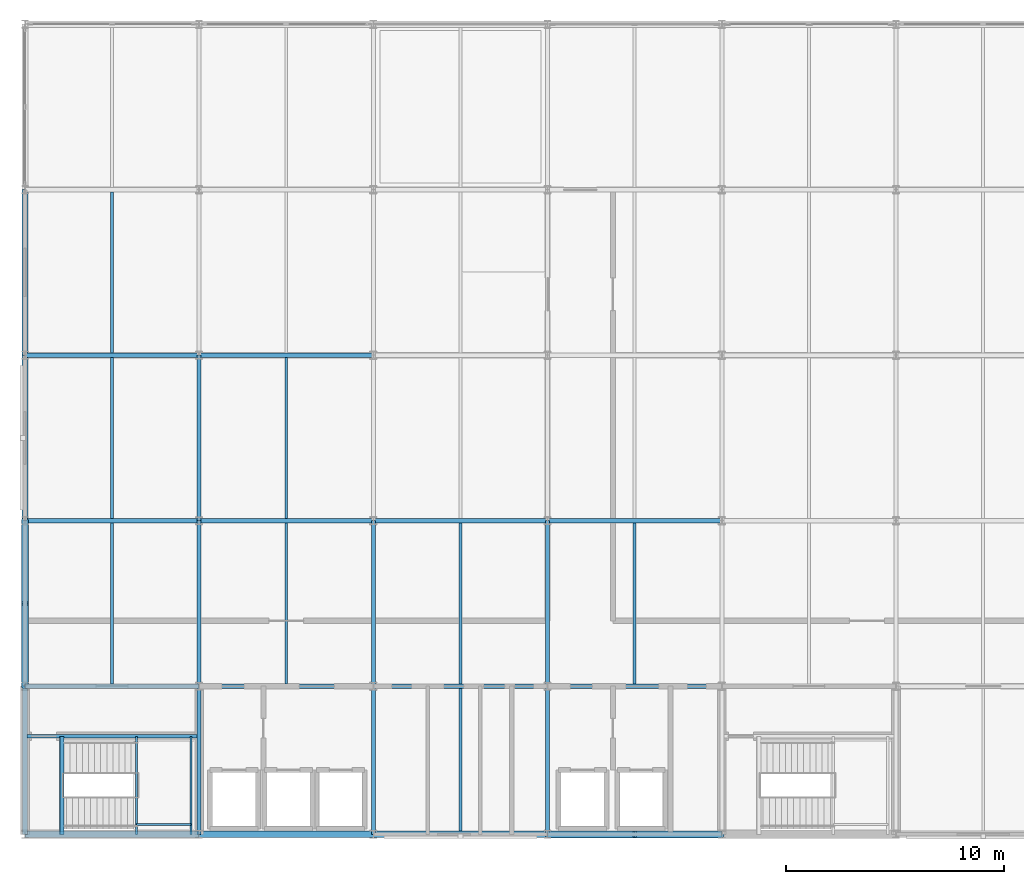
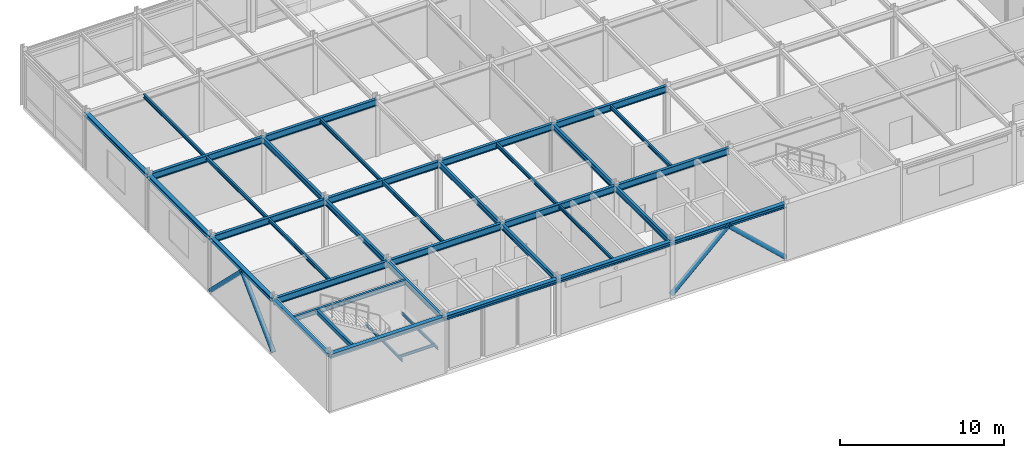
# One storey, part 4 of 16: 38 beams, 4 members.
"""IFC4 building model written with IfcOpenShell, lengths in metres."""

from ifc_helpers import new_model, si_unit, direction, frame, origin, origin_2d, place, context, subcontext, project, spatial, hollow_rectangle, hollow_circle, i_section, extrude, material, material_profile, profile_set, type_object, element, save


model = new_model("IFC4")

# Units and contexts
model_context = context("Model", 3, precision=1e-05, world=origin(), true_north=direction((0.0, 1.0)))
body_context = subcontext(model_context, "Body", "Model", "MODEL_VIEW")
ifc_project = project(units=[si_unit("LENGTHUNIT", "METRE"), si_unit("AREAUNIT", "SQUARE_METRE"), si_unit("VOLUMEUNIT", "CUBIC_METRE"), si_unit("PLANEANGLEUNIT", "RADIAN"), si_unit("MASSUNIT", "GRAM", prefix="KILO")], contexts=[model_context])

# Site, building, storey
site_placement = place(None, origin())
site = spatial("IfcSite", under=ifc_project, at=site_placement, CompositionType="ELEMENT")
building_placement = place(site_placement, origin())
building = spatial("IfcBuilding", under=site, at=building_placement, Name="Shalkamar Park Central Library", CompositionType="ELEMENT")
storey_placement = place(building_placement, frame((0.0, 0.0, 51.60009765625)))
storey = spatial("IfcBuildingStorey", under=building, at=storey_placement, Name="L13", CompositionType="ELEMENT", Elevation=51.60009765625)

# Beams
ifc_material = material(Name="Steel S355", Category="steel")
ifc_material_profile_1 = material_profile(ifc_material, i_section(OverallWidth=0.10009765625, OverallDepth=0.199951171875, WebThickness=0.005615234375, FlangeThickness=0.008544921875, FilletRadius=0.011962890625, at=origin_2d()), Name="IPE 200")
ifc_profile_set_1 = profile_set([ifc_material_profile_1], Name="Steel S355")
beam_type_1 = type_object("IfcBeamType", Name="Composite Floor Joist IPE200", PredefinedType="JOIST", material=ifc_profile_set_1)
for number, where, z_axis, x_axis, name in (
    (1, (170.1201171875, 248.39990234375, 1.869873046875), (0.0, 1.0, 0.0), (-1.0, 0.0, 0.0), "Stair Half-Landing Beam ST-T1-L13-1"),
    (2, (172.6201171875, 248.39990234375, 1.869873046875), (0.0, 1.0, 0.0), (-1.0, 0.0, 0.0), "Stair Half-Landing Beam ST-T1-L13-2"),
):
    element("IfcBeam", number, at=place(storey_placement, frame(where, z_axis=z_axis, x_axis=x_axis)), inside=storey, type_object=beam_type_1, Name=name, PredefinedType="JOIST", context=body_context, shape_type="SweptSolid", body=[
        extrude(i_section(OverallWidth=0.10009765625, OverallDepth=0.199951171875, WebThickness=0.005615234375, FlangeThickness=0.008544921875, FilletRadius=0.011962890625, at=origin_2d()), origin(), (0.0, 0.0, 1.0), 4.5),
    ])
beam_1_placement = place(storey_placement, frame((170.1201171875, 248.85009765625, 1.869873046875), z_axis=(1.0, 0.0, 0.0), x_axis=(0.0, 1.0, 0.0)))
element("IfcBeam", 3, at=beam_1_placement, inside=storey, type_object=beam_type_1, Name="Stair Half-Landing Cross Tie ST-T1-L13-3", PredefinedType="JOIST", context=body_context, shape_type="SweptSolid", body=[
    extrude(i_section(OverallWidth=0.10009765625, OverallDepth=0.199951171875, WebThickness=0.005615234375, FlangeThickness=0.008544921875, FilletRadius=0.011962890625, at=origin_2d()), origin(), (0.0, 0.0, 1.0), 2.5),
])
ifc_material_profile_2 = material_profile(ifc_material, i_section(OverallWidth=0.1201171875, OverallDepth=0.239990234375, WebThickness=0.006103515625, FlangeThickness=0.009765625, FilletRadius=0.014892578125, at=origin_2d()), Name="IPE 240")
ifc_profile_set_2 = profile_set([ifc_material_profile_2], Name="Steel S355")
beam_type_2 = type_object("IfcBeamType", Name="Composite Floor Joist IPE240", PredefinedType="JOIST", material=ifc_profile_set_2)
beam_2_placement = place(storey_placement, frame((185.0, 248.548095703125, 4.059814453125), z_axis=(0.0, 1.0, 0.0), x_axis=(-1.0, 0.0, 0.0)))
element("IfcBeam", 4, at=beam_2_placement, inside=storey, type_object=beam_type_2, Name="Composite Joist 09/B-1 (L13)", PredefinedType="JOIST", context=body_context, shape_type="SweptSolid", body=[
    extrude(i_section(OverallWidth=0.1201171875, OverallDepth=0.239990234375, WebThickness=0.006103515625, FlangeThickness=0.009765625, FilletRadius=0.014892578125, at=origin_2d()), origin(), (0.0, 0.0, 1.0), 6.553955078125),
])
ifc_material_profile_3 = material_profile(ifc_material, i_section(OverallWidth=0.135009765625, OverallDepth=0.27001953125, WebThickness=0.006591796875, FlangeThickness=0.01025390625, FilletRadius=0.014892578125, at=origin_2d()), Name="IPE 270")
ifc_profile_set_3 = profile_set([ifc_material_profile_3], Name="Steel S355")
beam_type_3 = type_object("IfcBeamType", Name="Composite Floor Joist IPE270", PredefinedType="JOIST", material=ifc_profile_set_3)
beam_3_placement = place(storey_placement, frame((169.0, 255.298095703125, 4.044921875), z_axis=(0.0, 1.0, 0.0), x_axis=(-1.0, 0.0, 0.0)))
element("IfcBeam", 5, at=beam_3_placement, inside=storey, type_object=beam_type_3, Name="Composite Joist 07/C-1 (L13)", PredefinedType="JOIST", context=body_context, shape_type="SweptSolid", body=[
    extrude(i_section(OverallWidth=0.135009765625, OverallDepth=0.27001953125, WebThickness=0.006591796875, FlangeThickness=0.01025390625, FilletRadius=0.014892578125, at=origin_2d()), origin(), (0.0, 0.0, 1.0), 7.40380859375),
])
for number, where, z_axis, x_axis, name in (
    (6, (169.0, 262.89794921875, 4.044921875), (0.0, 1.0, 0.0), (-1.0, 0.0, 0.0), "Composite Joist 07/D-1 (L13)"),
    (7, (169.0, 270.498046875, 4.044921875), (0.0, 1.0, 0.0), (-1.0, 0.0, 0.0), "Composite Joist 07/E-1 (L13)"),
):
    element("IfcBeam", number, at=place(storey_placement, frame(where, z_axis=z_axis, x_axis=x_axis)), inside=storey, type_object=beam_type_3, Name=name, PredefinedType="JOIST", context=body_context, shape_type="SweptSolid", body=[
        extrude(i_section(OverallWidth=0.135009765625, OverallDepth=0.27001953125, WebThickness=0.006591796875, FlangeThickness=0.01025390625, FilletRadius=0.014892578125, at=origin_2d()), origin(), (0.0, 0.0, 1.0), 7.404052734375),
    ])
beam_4_placement = place(storey_placement, frame((177.0, 255.298095703125, 4.044921875), z_axis=(0.0, 1.0, 0.0), x_axis=(-1.0, 0.0, 0.0)))
element("IfcBeam", 8, at=beam_4_placement, inside=storey, type_object=beam_type_3, Name="Composite Joist 08/C-1 (L13)", PredefinedType="JOIST", context=body_context, shape_type="SweptSolid", body=[
    extrude(i_section(OverallWidth=0.135009765625, OverallDepth=0.27001953125, WebThickness=0.006591796875, FlangeThickness=0.01025390625, FilletRadius=0.014892578125, at=origin_2d()), origin(), (0.0, 0.0, 1.0), 7.40380859375),
])
beam_5_placement = place(storey_placement, frame((177.0, 262.89794921875, 4.044921875), z_axis=(0.0, 1.0, 0.0), x_axis=(-1.0, 0.0, 0.0)))
element("IfcBeam", 9, at=beam_5_placement, inside=storey, type_object=beam_type_3, Name="Composite Joist 08/D-1 (L13)", PredefinedType="JOIST", context=body_context, shape_type="SweptSolid", body=[
    extrude(i_section(OverallWidth=0.135009765625, OverallDepth=0.27001953125, WebThickness=0.006591796875, FlangeThickness=0.01025390625, FilletRadius=0.014892578125, at=origin_2d()), origin(), (0.0, 0.0, 1.0), 7.404052734375),
])
for number, where, z_axis, x_axis, name in (
    (10, (185.0, 255.298095703125, 4.044921875), (0.0, 1.0, 0.0), (-1.0, 0.0, 0.0), "Composite Joist 09/C-1 (L13)"),
    (11, (193.0, 255.298095703125, 4.044921875), (0.0, 1.0, 0.0), (-1.0, 0.0, 0.0), "Composite Joist 10/C-1 (L13)"),
):
    element("IfcBeam", number, at=place(storey_placement, frame(where, z_axis=z_axis, x_axis=x_axis)), inside=storey, type_object=beam_type_3, Name=name, PredefinedType="JOIST", context=body_context, shape_type="SweptSolid", body=[
        extrude(i_section(OverallWidth=0.135009765625, OverallDepth=0.27001953125, WebThickness=0.006591796875, FlangeThickness=0.01025390625, FilletRadius=0.014892578125, at=origin_2d()), origin(), (0.0, 0.0, 1.0), 7.40380859375),
    ])

# Members
ifc_material_profile_4 = material_profile(ifc_material, hollow_circle(Radius=0.161865234375, WallThickness=0.012451171875, at=origin_2d()), Name="CHS 323.9x12.5")
ifc_profile_set_4 = profile_set([ifc_material_profile_4], Name="Steel S355")
member_type = type_object("IfcMemberType", Name="Diagonal Brace CHS323", PredefinedType="BRACE", material=ifc_profile_set_4)
for number, where, z_axis, x_axis, name in (
    (12, (165.0, 255.199951171875, 0.14990234375), (0.0, 0.713655648874, 0.70049669152), (-1.0, 0.0, 0.0), "Chevron Brace TW-W Leg A (L13)"),
    (13, (165.0, 262.800048828125, 0.14990234375), (0.0, -0.713655648874, 0.70049669152), (1.0, 0.0, 0.0), "Chevron Brace TW-W Leg B (L13)"),
):
    element("IfcMember", number, at=place(storey_placement, frame(where, z_axis=z_axis, x_axis=x_axis)), inside=storey, type_object=member_type, Name=name, PredefinedType="BRACE", context=body_context, shape_type="SweptSolid", body=[
        extrude(hollow_circle(Radius=0.161865234375, WallThickness=0.012451171875, at=origin_2d()), origin(), (0.0, 0.0, 1.0), 5.32470703125),
    ])
for number, where, z_axis, x_axis, name in (
    (14, (189.0, 248.39990234375, 0.14990234375), (0.731360986045, 0.0, 0.681990548388), (0.0, 1.0, 0.0), "Chevron Brace TW-S Leg A (L13)"),
    (15, (197.0, 248.39990234375, 0.14990234375), (-0.731360986045, 0.0, 0.681990548388), (0.0, -1.0, 0.0), "Chevron Brace TW-S Leg B (L13)"),
):
    element("IfcMember", number, at=place(storey_placement, frame(where, z_axis=z_axis, x_axis=x_axis)), inside=storey, type_object=member_type, Name=name, PredefinedType="BRACE", context=body_context, shape_type="SweptSolid", body=[
        extrude(hollow_circle(Radius=0.161865234375, WallThickness=0.012451171875, at=origin_2d()), origin(), (0.0, 0.0, 1.0), 5.46923828125),
    ])

# Beams
ifc_material_profile_5 = material_profile(ifc_material, i_section(OverallWidth=0.239990234375, OverallDepth=0.22998046875, WebThickness=0.007568359375, FlangeThickness=0.011962890625, FilletRadius=0.02099609375, at=origin_2d()), Name="HEA 240")
ifc_profile_set_5 = profile_set([ifc_material_profile_5], Name="Steel S355")
beam_type_4 = type_object("IfcBeamType", Name="Perimeter Spandrel Beam HEA240", PredefinedType="SPANDREL", material=ifc_profile_set_5)
beam_6_placement = place(storey_placement, frame((165.0, 248.39990234375, 4.06494140625), z_axis=(0.0, 1.0, 0.0), x_axis=(-1.0, 0.0, 0.0)))
element("IfcBeam", 16, at=beam_6_placement, inside=storey, type_object=beam_type_4, Name="Beam 07:B-C (L13)", PredefinedType="SPANDREL", context=body_context, shape_type="SweptSolid", body=[
    extrude(i_section(OverallWidth=0.239990234375, OverallDepth=0.22998046875, WebThickness=0.007568359375, FlangeThickness=0.011962890625, FilletRadius=0.02099609375, at=origin_2d()), origin(), (0.0, 0.0, 1.0), 6.800048828125),
])
ifc_material_profile_6 = material_profile(ifc_material, i_section(OverallWidth=0.280029296875, OverallDepth=0.27001953125, WebThickness=0.008056640625, FlangeThickness=0.012939453125, FilletRadius=0.02392578125, at=origin_2d()), Name="HEA 280")
ifc_profile_set_6 = profile_set([ifc_material_profile_6], Name="Steel S355")
beam_type_5 = type_object("IfcBeamType", Name="Perimeter Spandrel Beam HEA280", PredefinedType="SPANDREL", material=ifc_profile_set_6)
beam_7_placement = place(storey_placement, frame((165.0, 255.199951171875, 4.044921875), z_axis=(0.0, 1.0, 0.0), x_axis=(-1.0, 0.0, 0.0)))
element("IfcBeam", 17, at=beam_7_placement, inside=storey, type_object=beam_type_5, Name="Beam 07:C-D (L13)", PredefinedType="SPANDREL", context=body_context, shape_type="SweptSolid", body=[
    extrude(i_section(OverallWidth=0.280029296875, OverallDepth=0.27001953125, WebThickness=0.008056640625, FlangeThickness=0.012939453125, FilletRadius=0.02392578125, at=origin_2d()), origin(), (0.0, 0.0, 1.0), 7.60009765625),
])
beam_8_placement = place(storey_placement, frame((165.0, 262.800048828125, 4.044921875), z_axis=(0.0, 1.0, 0.0), x_axis=(-1.0, 0.0, 0.0)))
element("IfcBeam", 18, at=beam_8_placement, inside=storey, type_object=beam_type_5, Name="Beam 07:D-E (L13)", PredefinedType="SPANDREL", context=body_context, shape_type="SweptSolid", body=[
    extrude(i_section(OverallWidth=0.280029296875, OverallDepth=0.27001953125, WebThickness=0.008056640625, FlangeThickness=0.012939453125, FilletRadius=0.02392578125, at=origin_2d()), origin(), (0.0, 0.0, 1.0), 7.599853515625),
])
beam_9_placement = place(storey_placement, frame((165.0, 270.39990234375, 4.044921875), z_axis=(0.0, 1.0, 0.0), x_axis=(-1.0, 0.0, 0.0)))
element("IfcBeam", 19, at=beam_9_placement, inside=storey, type_object=beam_type_5, Name="Beam 07:E-F (L13)", PredefinedType="SPANDREL", context=body_context, shape_type="SweptSolid", body=[
    extrude(i_section(OverallWidth=0.280029296875, OverallDepth=0.27001953125, WebThickness=0.008056640625, FlangeThickness=0.012939453125, FilletRadius=0.02392578125, at=origin_2d()), origin(), (0.0, 0.0, 1.0), 7.60009765625),
])
ifc_material_profile_7 = material_profile(ifc_material, i_section(OverallWidth=0.300048828125, OverallDepth=0.31005859375, WebThickness=0.009033203125, FlangeThickness=0.015380859375, FilletRadius=0.027099609375, at=origin_2d()), Name="HEA 320")
ifc_profile_set_7 = profile_set([ifc_material_profile_7], Name="Steel S355")
beam_type_6 = type_object("IfcBeamType", Name="Perimeter Spandrel Beam HEA320", PredefinedType="SPANDREL", material=ifc_profile_set_7)
for number, where, z_axis, x_axis, name in (
    (20, (165.0, 248.39990234375, 4.02490234375), (1.0, 0.0, 0.0), (0.0, 1.0, 0.0), "Beam B:07-08 (L13)"),
    (21, (173.0, 248.39990234375, 4.02490234375), (1.0, 0.0, 0.0), (0.0, 1.0, 0.0), "Beam B:08-09 (L13)"),
    (22, (181.0, 248.39990234375, 4.02490234375), (1.0, 0.0, 0.0), (0.0, 1.0, 0.0), "Beam B:09-10 (L13)"),
    (23, (189.0, 248.39990234375, 4.02490234375), (1.0, 0.0, 0.0), (0.0, 1.0, 0.0), "Beam B:10-11 (L13)"),
):
    element("IfcBeam", number, at=place(storey_placement, frame(where, z_axis=z_axis, x_axis=x_axis)), inside=storey, type_object=beam_type_6, Name=name, PredefinedType="SPANDREL", context=body_context, shape_type="SweptSolid", body=[
        extrude(i_section(OverallWidth=0.300048828125, OverallDepth=0.31005859375, WebThickness=0.009033203125, FlangeThickness=0.015380859375, FilletRadius=0.027099609375, at=origin_2d()), origin(), (0.0, 0.0, 1.0), 8.0),
    ])
ifc_material_profile_8 = material_profile(ifc_material, i_section(OverallWidth=0.169921875, OverallDepth=0.360107421875, WebThickness=0.008056640625, FlangeThickness=0.0126953125, FilletRadius=0.01806640625, at=origin_2d()), Name="IPE 360")
ifc_profile_set_8 = profile_set([ifc_material_profile_8], Name="Steel S355")
beam_type_7 = type_object("IfcBeamType", Name="Primary Girder IPE360", PredefinedType="BEAM", material=ifc_profile_set_8)
beam_10_placement = place(storey_placement, frame((165.087890625, 252.89990234375, 4.0), z_axis=(1.0, 0.0, 0.0), x_axis=(0.0, 1.0, 0.0)))
element("IfcBeam", 24, at=beam_10_placement, inside=storey, type_object=beam_type_7, Name="CORE-T1 Stairwell Divider Beam (L13)", PredefinedType="BEAM", context=body_context, shape_type="SweptSolid", body=[
    extrude(i_section(OverallWidth=0.169921875, OverallDepth=0.360107421875, WebThickness=0.008056640625, FlangeThickness=0.0126953125, FilletRadius=0.01806640625, at=origin_2d()), origin(), (0.0, 0.0, 1.0), 7.82421875),
])
ifc_material_profile_9 = material_profile(ifc_material, i_section(OverallWidth=0.179931640625, OverallDepth=0.39990234375, WebThickness=0.008544921875, FlangeThickness=0.013427734375, FilletRadius=0.02099609375, at=origin_2d()), Name="IPE 400")
ifc_profile_set_9 = profile_set([ifc_material_profile_9], Name="Steel S355")
beam_type_8 = type_object("IfcBeamType", Name="Primary Girder IPE400", PredefinedType="BEAM", material=ifc_profile_set_9)
beam_11_placement = place(storey_placement, frame((173.0, 248.39990234375, 3.97998046875), z_axis=(0.0, 1.0, 0.0), x_axis=(-1.0, 0.0, 0.0)))
element("IfcBeam", 25, at=beam_11_placement, inside=storey, type_object=beam_type_8, Name="Beam 08:B-C (L13)", PredefinedType="BEAM", context=body_context, shape_type="SweptSolid", body=[
    extrude(i_section(OverallWidth=0.179931640625, OverallDepth=0.39990234375, WebThickness=0.008544921875, FlangeThickness=0.013427734375, FilletRadius=0.02099609375, at=origin_2d()), origin(), (0.0, 0.0, 1.0), 6.800048828125),
])
beam_12_placement = place(storey_placement, frame((173.0, 255.199951171875, 3.97998046875), z_axis=(0.0, 1.0, 0.0), x_axis=(-1.0, 0.0, 0.0)))
element("IfcBeam", 26, at=beam_12_placement, inside=storey, type_object=beam_type_8, Name="Beam 08:C-D (L13)", PredefinedType="BEAM", context=body_context, shape_type="SweptSolid", body=[
    extrude(i_section(OverallWidth=0.179931640625, OverallDepth=0.39990234375, WebThickness=0.008544921875, FlangeThickness=0.013427734375, FilletRadius=0.02099609375, at=origin_2d()), origin(), (0.0, 0.0, 1.0), 7.60009765625),
])
beam_13_placement = place(storey_placement, frame((173.0, 262.800048828125, 3.97998046875), z_axis=(0.0, 1.0, 0.0), x_axis=(-1.0, 0.0, 0.0)))
element("IfcBeam", 27, at=beam_13_placement, inside=storey, type_object=beam_type_8, Name="Beam 08:D-E (L13)", PredefinedType="BEAM", context=body_context, shape_type="SweptSolid", body=[
    extrude(i_section(OverallWidth=0.179931640625, OverallDepth=0.39990234375, WebThickness=0.008544921875, FlangeThickness=0.013427734375, FilletRadius=0.02099609375, at=origin_2d()), origin(), (0.0, 0.0, 1.0), 7.599853515625),
])
beam_14_placement = place(storey_placement, frame((181.0, 248.39990234375, 3.97998046875), z_axis=(0.0, 1.0, 0.0), x_axis=(-1.0, 0.0, 0.0)))
element("IfcBeam", 28, at=beam_14_placement, inside=storey, type_object=beam_type_8, Name="Beam 09:B-C (L13)", PredefinedType="BEAM", context=body_context, shape_type="SweptSolid", body=[
    extrude(i_section(OverallWidth=0.179931640625, OverallDepth=0.39990234375, WebThickness=0.008544921875, FlangeThickness=0.013427734375, FilletRadius=0.02099609375, at=origin_2d()), origin(), (0.0, 0.0, 1.0), 6.800048828125),
])
beam_15_placement = place(storey_placement, frame((181.0, 255.199951171875, 3.97998046875), z_axis=(0.0, 1.0, 0.0), x_axis=(-1.0, 0.0, 0.0)))
element("IfcBeam", 29, at=beam_15_placement, inside=storey, type_object=beam_type_8, Name="Beam 09:C-D (L13)", PredefinedType="BEAM", context=body_context, shape_type="SweptSolid", body=[
    extrude(i_section(OverallWidth=0.179931640625, OverallDepth=0.39990234375, WebThickness=0.008544921875, FlangeThickness=0.013427734375, FilletRadius=0.02099609375, at=origin_2d()), origin(), (0.0, 0.0, 1.0), 7.60009765625),
])
beam_16_placement = place(storey_placement, frame((189.0, 248.39990234375, 3.97998046875), z_axis=(0.0, 1.0, 0.0), x_axis=(-1.0, 0.0, 0.0)))
element("IfcBeam", 30, at=beam_16_placement, inside=storey, type_object=beam_type_8, Name="Beam 10:B-C (L13)", PredefinedType="BEAM", context=body_context, shape_type="SweptSolid", body=[
    extrude(i_section(OverallWidth=0.179931640625, OverallDepth=0.39990234375, WebThickness=0.008544921875, FlangeThickness=0.013427734375, FilletRadius=0.02099609375, at=origin_2d()), origin(), (0.0, 0.0, 1.0), 6.800048828125),
])
beam_17_placement = place(storey_placement, frame((189.0, 255.199951171875, 3.97998046875), z_axis=(0.0, 1.0, 0.0), x_axis=(-1.0, 0.0, 0.0)))
element("IfcBeam", 31, at=beam_17_placement, inside=storey, type_object=beam_type_8, Name="Beam 10:C-D (L13)", PredefinedType="BEAM", context=body_context, shape_type="SweptSolid", body=[
    extrude(i_section(OverallWidth=0.179931640625, OverallDepth=0.39990234375, WebThickness=0.008544921875, FlangeThickness=0.013427734375, FilletRadius=0.02099609375, at=origin_2d()), origin(), (0.0, 0.0, 1.0), 7.60009765625),
])
ifc_material_profile_10 = material_profile(ifc_material, i_section(OverallWidth=0.199951171875, OverallDepth=0.5, WebThickness=0.01025390625, FlangeThickness=0.01611328125, FilletRadius=0.02099609375, at=origin_2d()), Name="IPE 500")
ifc_profile_set_10 = profile_set([ifc_material_profile_10], Name="Steel S355")
beam_type_9 = type_object("IfcBeamType", Name="Primary Girder IPE500", PredefinedType="BEAM", material=ifc_profile_set_10)
for number, where, z_axis, x_axis, name in (
    (32, (165.0, 255.199951171875, 3.929931640625), (1.0, 0.0, 0.0), (0.0, 1.0, 0.0), "Beam C:07-08 (L13)"),
    (33, (173.0, 255.199951171875, 3.929931640625), (1.0, 0.0, 0.0), (0.0, 1.0, 0.0), "Beam C:08-09 (L13)"),
    (34, (181.0, 255.199951171875, 3.929931640625), (1.0, 0.0, 0.0), (0.0, 1.0, 0.0), "Beam C:09-10 (L13)"),
    (35, (189.0, 255.199951171875, 3.929931640625), (1.0, 0.0, 0.0), (0.0, 1.0, 0.0), "Beam C:10-11 (L13)"),
    (36, (165.0, 262.800048828125, 3.929931640625), (1.0, 0.0, 0.0), (0.0, 1.0, 0.0), "Beam D:07-08 (L13)"),
    (37, (173.0, 262.800048828125, 3.929931640625), (1.0, 0.0, 0.0), (0.0, 1.0, 0.0), "Beam D:08-09 (L13)"),
    (38, (181.0, 262.800048828125, 3.929931640625), (1.0, 0.0, 0.0), (0.0, 1.0, 0.0), "Beam D:09-10 (L13)"),
    (39, (189.0, 262.800048828125, 3.929931640625), (1.0, 0.0, 0.0), (0.0, 1.0, 0.0), "Beam D:10-11 (L13)"),
    (40, (165.0, 270.39990234375, 3.929931640625), (1.0, 0.0, 0.0), (0.0, 1.0, 0.0), "Beam E:07-08 (L13)"),
    (41, (173.0, 270.39990234375, 3.929931640625), (1.0, 0.0, 0.0), (0.0, 1.0, 0.0), "Beam E:08-09 (L13)"),
):
    element("IfcBeam", number, at=place(storey_placement, frame(where, z_axis=z_axis, x_axis=x_axis)), inside=storey, type_object=beam_type_9, Name=name, PredefinedType="BEAM", context=body_context, shape_type="SweptSolid", body=[
        extrude(i_section(OverallWidth=0.199951171875, OverallDepth=0.5, WebThickness=0.01025390625, FlangeThickness=0.01611328125, FilletRadius=0.02099609375, at=origin_2d()), origin(), (0.0, 0.0, 1.0), 8.0),
    ])
ifc_material_profile_11 = material_profile(ifc_material, hollow_rectangle(XDim=0.199951171875, YDim=0.300048828125, WallThickness=0.011962890625, InnerFilletRadius=0.011962890625, OuterFilletRadius=0.01806640625, at=origin_2d()), Name="RHS 300x200x12")
ifc_profile_set_11 = profile_set([ifc_material_profile_11], Name="Steel S355")
beam_type_10 = type_object("IfcBeamType", Name="Stair Trimmer Box RHS300x200", PredefinedType="BEAM", material=ifc_profile_set_11)
beam_18_placement = place(storey_placement, frame((166.699951171875, 248.39990234375, 4.02978515625), z_axis=(0.0, 1.0, 0.0), x_axis=(-1.0, 0.0, 0.0)))
element("IfcBeam", 42, at=beam_18_placement, inside=storey, type_object=beam_type_10, Name="Stair Arrival Trimmer Girder ST-T1-L13", PredefinedType="BEAM", context=body_context, shape_type="SweptSolid", body=[
    extrude(hollow_rectangle(XDim=0.199951171875, YDim=0.300048828125, WallThickness=0.011962890625, InnerFilletRadius=0.011962890625, OuterFilletRadius=0.01806640625, at=origin_2d()), origin(), (0.0, 0.0, 1.0), 4.5),
])

save(model, "model.ifc")
